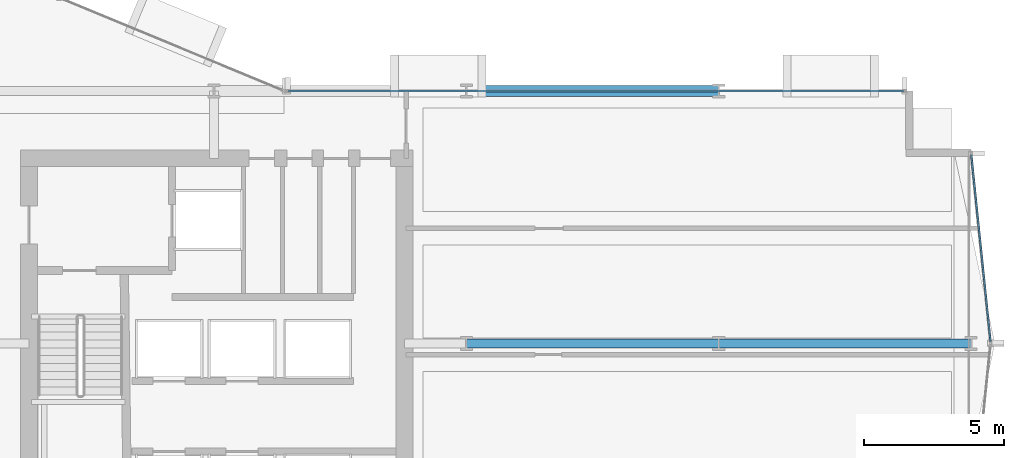
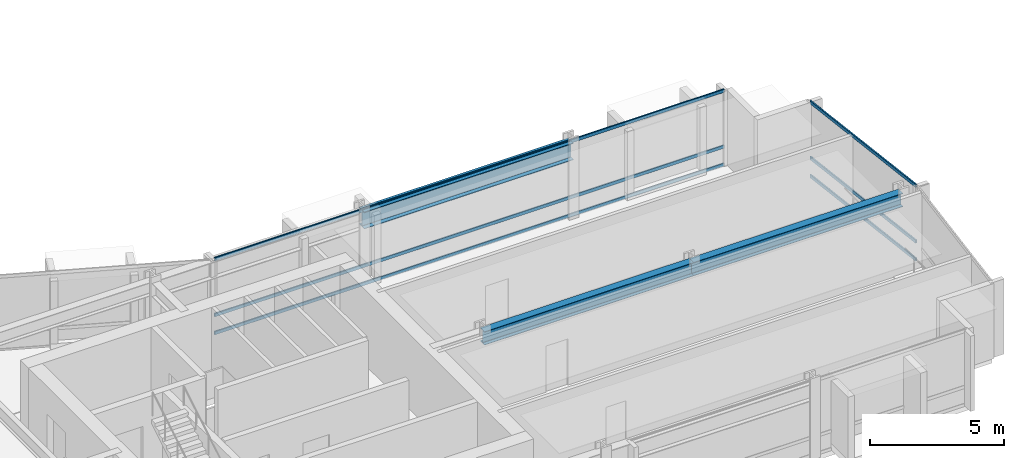
# One storey, part 16 of 34: 6 members, 3 beams, 2 elements without a shape of their own.
"""IFC4 building model written with IfcOpenShell, lengths in metres."""

from ifc_helpers import new_model, si_unit, direction, frame, origin, origin_2d, place, context, subcontext, project, spatial, hollow_rectangle, i_section, extrude, material, layer, layer_set, material_profile, profile_set, type_object, element, aggregate, save


model = new_model("IFC4")

# Units and contexts
model_context = context("Model", 3, precision=1e-05, world=origin(), true_north=direction((0.0, 1.0)))
body_context = subcontext(model_context, "Body", "Model", "MODEL_VIEW")
ifc_project = project(units=[si_unit("LENGTHUNIT", "METRE"), si_unit("AREAUNIT", "SQUARE_METRE"), si_unit("VOLUMEUNIT", "CUBIC_METRE"), si_unit("PLANEANGLEUNIT", "RADIAN"), si_unit("MASSUNIT", "GRAM", prefix="KILO")], contexts=[model_context])

# Site, building, storey
site_placement = place(None, origin())
site = spatial("IfcSite", under=ifc_project, at=site_placement, CompositionType="ELEMENT")
building_placement = place(site_placement, origin())
building = spatial("IfcBuilding", under=site, at=building_placement, Name="Solvaryn Broadcast Tower", CompositionType="ELEMENT")
storey_placement = place(building_placement, frame((0.0, 0.0, 54.5)))
storey = spatial("IfcBuildingStorey", under=building, at=storey_placement, Name="L12", CompositionType="ELEMENT", Elevation=54.5)

# Beams
ifc_material_1 = material(Name="Steel ASTM A992 Grade 50", Category="steel")
ifc_material_profile_1 = material_profile(ifc_material_1, i_section(OverallWidth=0.323974609375, OverallDepth=0.611083984375, WebThickness=0.0126953125, FlangeThickness=0.01904296875, FilletRadius=0.014892578125, at=origin_2d()))
ifc_profile_set_1 = profile_set([ifc_material_profile_1], Name="Steel ASTM A992 Grade 50")
beam_type_1 = type_object("IfcBeamType", Name="BM-B1-W24X104", PredefinedType="BEAM", material=ifc_profile_set_1)
for number, where, z_axis, x_axis, name in (
    (1, (45.0, 18.0, 3.114501953125), (1.0, 0.0, 0.0), (0.0, 1.0, 0.0), "L12 Primary Beam X (45-54 @ Y=18)"),
    (2, (54.0, 18.0, 3.114501953125), (1.0, 0.0, 0.0), (0.0, 1.0, 0.0), "L12 Primary Beam X (54-63 @ Y=18)"),
):
    element("IfcBeam", number, at=place(storey_placement, frame(where, z_axis=z_axis, x_axis=x_axis)), inside=storey, type_object=beam_type_1, Name=name, PredefinedType="BEAM", context=body_context, shape_type="SweptSolid", body=[
        extrude(i_section(OverallWidth=0.323974609375, OverallDepth=0.611083984375, WebThickness=0.0126953125, FlangeThickness=0.01904296875, FilletRadius=0.014892578125, at=origin_2d()), origin(), (0.0, 0.0, 1.0), 9.0),
    ])
ifc_material_2 = material(Name="Steel ASTM A992 Grade 50", Category="steel")
ifc_material_profile_2 = material_profile(ifc_material_2, i_section(OverallWidth=0.381103515625, OverallDepth=0.77294921875, WebThickness=0.0166015625, FlangeThickness=0.027099609375, FilletRadius=0.01806640625, at=origin_2d()))
ifc_profile_set_2 = profile_set([ifc_material_profile_2], Name="Steel ASTM A992 Grade 50")
beam_type_2 = type_object("IfcBeamType", Name="BM-SP1-W30X173", PredefinedType="USERDEFINED", material=ifc_profile_set_2)
beam_placement = place(storey_placement, frame((45.0, 27.0, 3.033447265625), z_axis=(1.0, 0.0, 0.0), x_axis=(0.0, 1.0, 0.0)))
element("IfcBeam", 3, at=beam_placement, inside=storey, type_object=beam_type_2, Name="L12 Spandrel Beam X (45-54 @ Y=27)", ObjectType="SPANDREL", PredefinedType="USERDEFINED", context=body_context, shape_type="SweptSolid", body=[
    extrude(i_section(OverallWidth=0.381103515625, OverallDepth=0.77294921875, WebThickness=0.0166015625, FlangeThickness=0.027099609375, FilletRadius=0.01806640625, at=origin_2d()), origin(), (0.0, 0.0, 1.0), 9.0),
])

# Curtain wall, members
ifc_material_3 = material(Name="Aluminium and Terracotta Unitised Curtain Wall", Category="masonry")
ifc_layer = layer(ifc_material_3, 0.199951171875)
ifc_layer_set = layer_set([ifc_layer], Name="CW-SYS2-LOWMID")
curtain_wall_type = type_object("IfcCurtainWallType", Name="CW-SYS2-LOWMID", PredefinedType="NOTDEFINED", material=ifc_layer_set)
curtain_wall_1_placement = place(storey_placement, origin())
curtain_wall_1 = element("IfcCurtainWall", 4, at=curtain_wall_1_placement, inside=storey, type_object=curtain_wall_type, Name="L12 Curtain Wall ET1", PredefinedType="NOTDEFINED")
ifc_material_4 = material(Name="Anodised Aluminium 6063-T6", Category="aluminium")
ifc_material_profile_3 = material_profile(ifc_material_4, hollow_rectangle(XDim=0.06494140625, YDim=0.14990234375, WallThickness=0.00390625, InnerFilletRadius=0.00390625, OuterFilletRadius=0.008056640625, at=origin_2d()))
ifc_profile_set_3 = profile_set([ifc_material_profile_3], Name="Anodised Aluminium 6063-T6")
member_type = type_object("IfcMemberType", Name="CW-TRN-150", PredefinedType="USERDEFINED", material=ifc_profile_set_3)
member_1_placement = place(storey_placement, frame((63.006103515625, 24.740234375, 0.030029296875), z_axis=(0.102404277363, -0.994742863245, 0.0), x_axis=(0.994742863245, 0.102404277363, 0.0)))
member_1 = element("IfcMember", 5, at=member_1_placement, type_object=member_type, Name="CWS2 transom 1.1", ObjectType="TRANSOM", PredefinedType="USERDEFINED", context=body_context, shape_type="SweptSolid", body=[
    extrude(hollow_rectangle(XDim=0.06494140625, YDim=0.14990234375, WallThickness=0.00390625, InnerFilletRadius=0.00390625, OuterFilletRadius=0.008056640625, at=origin_2d()), origin(), (0.0, 0.0, 1.0), 6.716064453125),
])
member_2_placement = place(storey_placement, frame((63.006103515625, 24.740234375, 0.85009765625), z_axis=(0.102404277363, -0.994742863245, 0.0), x_axis=(0.994742863245, 0.102404277363, 0.0)))
member_2 = element("IfcMember", 6, at=member_2_placement, type_object=member_type, Name="CWS2 transom 1.2", ObjectType="TRANSOM", PredefinedType="USERDEFINED", context=body_context, shape_type="SweptSolid", body=[
    extrude(hollow_rectangle(XDim=0.06494140625, YDim=0.14990234375, WallThickness=0.00390625, InnerFilletRadius=0.00390625, OuterFilletRadius=0.008056640625, at=origin_2d()), origin(), (0.0, 0.0, 1.0), 6.716064453125),
])
member_3_placement = place(storey_placement, frame((63.006103515625, 24.740234375, 3.389892578125), z_axis=(0.102404277363, -0.994742863245, 0.0), x_axis=(0.994742863245, 0.102404277363, 0.0)))
member_3 = element("IfcMember", 7, at=member_3_placement, type_object=member_type, Name="CWS2 transom 1.3", ObjectType="TRANSOM", PredefinedType="USERDEFINED", context=body_context, shape_type="SweptSolid", body=[
    extrude(hollow_rectangle(XDim=0.06494140625, YDim=0.14990234375, WallThickness=0.00390625, InnerFilletRadius=0.00390625, OuterFilletRadius=0.008056640625, at=origin_2d()), origin(), (0.0, 0.0, 1.0), 6.716064453125),
])
aggregate(curtain_wall_1, [member_1, member_2, member_3])

curtain_wall_2_placement = place(storey_placement, origin())
curtain_wall_2 = element("IfcCurtainWall", 8, at=curtain_wall_2_placement, inside=storey, type_object=curtain_wall_type, Name="L12 Curtain Wall IH", PredefinedType="NOTDEFINED")
member_4_placement = place(storey_placement, frame((38.659912109375, 27.0, 0.030029296875), z_axis=(1.0, 0.0, 0.0), x_axis=(0.0, 1.0, 0.0)))
member_4 = element("IfcMember", 9, at=member_4_placement, type_object=member_type, Name="CWS2 transom 1.1", ObjectType="TRANSOM", PredefinedType="USERDEFINED", context=body_context, shape_type="SweptSolid", body=[
    extrude(hollow_rectangle(XDim=0.06494140625, YDim=0.14990234375, WallThickness=0.00390625, InnerFilletRadius=0.00390625, OuterFilletRadius=0.008056640625, at=origin_2d()), origin(), (0.0, 0.0, 1.0), 21.93017578125),
])
member_5_placement = place(storey_placement, frame((38.659912109375, 27.0, 0.85009765625), z_axis=(1.0, 0.0, 0.0), x_axis=(0.0, 1.0, 0.0)))
member_5 = element("IfcMember", 10, at=member_5_placement, type_object=member_type, Name="CWS2 transom 1.2", ObjectType="TRANSOM", PredefinedType="USERDEFINED", context=body_context, shape_type="SweptSolid", body=[
    extrude(hollow_rectangle(XDim=0.06494140625, YDim=0.14990234375, WallThickness=0.00390625, InnerFilletRadius=0.00390625, OuterFilletRadius=0.008056640625, at=origin_2d()), origin(), (0.0, 0.0, 1.0), 21.93017578125),
])
member_6_placement = place(storey_placement, frame((38.659912109375, 27.0, 3.389892578125), z_axis=(1.0, 0.0, 0.0), x_axis=(0.0, 1.0, 0.0)))
member_6 = element("IfcMember", 11, at=member_6_placement, type_object=member_type, Name="CWS2 transom 1.3", ObjectType="TRANSOM", PredefinedType="USERDEFINED", context=body_context, shape_type="SweptSolid", body=[
    extrude(hollow_rectangle(XDim=0.06494140625, YDim=0.14990234375, WallThickness=0.00390625, InnerFilletRadius=0.00390625, OuterFilletRadius=0.008056640625, at=origin_2d()), origin(), (0.0, 0.0, 1.0), 21.93017578125),
])
aggregate(curtain_wall_2, [member_4, member_5, member_6])

save(model, "model.ifc")
